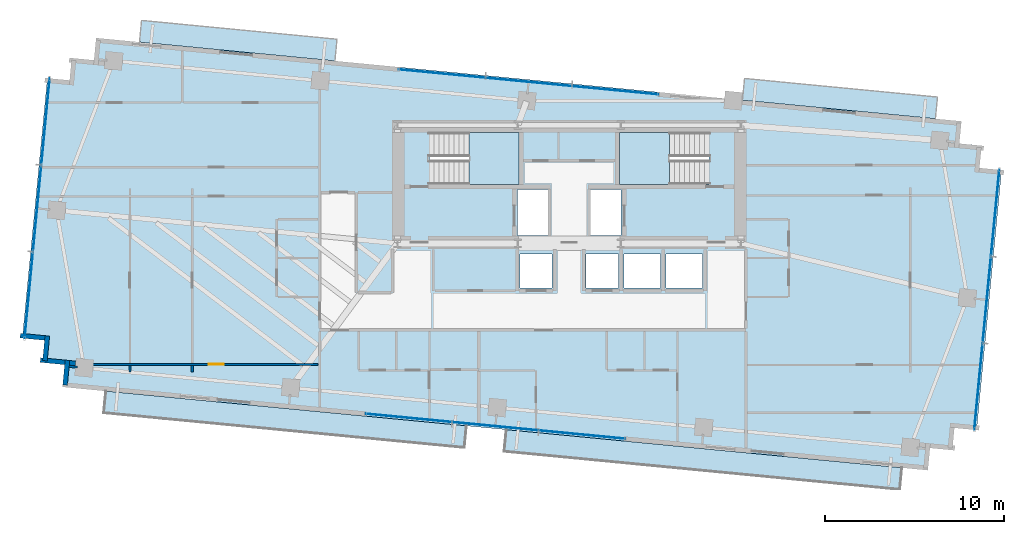
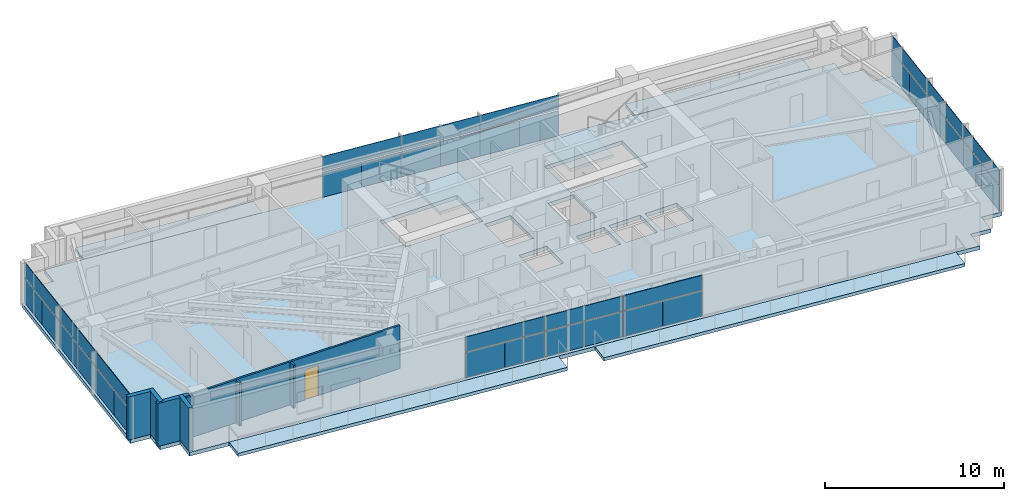
# One storey, part 14 of 20: 36 plates, 8 walls, 7 slabs, 1 door, 1 opening, 6 elements without a shape of their own.
"""IFC4 building model written with IfcOpenShell, lengths in metres."""

from ifc_helpers import new_model, si_unit, direction, frame, frame_2d, origin, origin_2d, place, context, subcontext, project, spatial, polyline, rectangle, outline, extrude, source, transform, mapped, material, layer, layer_set, type_object, type_shapes, element, fill, aggregate, save


model = new_model("IFC4")

# Units and contexts
model_context = context("Model", 3, precision=1e-05, world=origin(), true_north=direction((0.0, 1.0)))
body_context = subcontext(model_context, "Body", "Model", "MODEL_VIEW")
ifc_project = project(units=[si_unit("LENGTHUNIT", "METRE"), si_unit("AREAUNIT", "SQUARE_METRE"), si_unit("VOLUMEUNIT", "CUBIC_METRE"), si_unit("PLANEANGLEUNIT", "RADIAN"), si_unit("MASSUNIT", "GRAM", prefix="KILO")], contexts=[model_context])

# Site, building, storey
site_placement = place(None, origin())
site = spatial("IfcSite", under=ifc_project, at=site_placement, CompositionType="ELEMENT")
building_placement = place(site_placement, origin())
building = spatial("IfcBuilding", under=site, at=building_placement, Name="Astriad Promenade Condominiums", CompositionType="ELEMENT")
storey_placement = place(building_placement, frame((0.0, 0.0, 127.800048828125)))
storey = spatial("IfcBuildingStorey", under=building, at=storey_placement, Name="L36", CompositionType="ELEMENT", Elevation=127.800048828125)

# Slab
ifc_material_1 = material(Name="Concrete C50/60", Category="concrete")
ifc_layer_1 = layer(ifc_material_1, 0.260009765625)
ifc_layer_set_1 = layer_set([ifc_layer_1], Name="Concrete C50/60")
slab_type_1 = type_object("IfcSlabType", Name="CONCRETE TOWER FLOOR SLAB 260", PredefinedType="FLOOR", material=ifc_layer_set_1)
slab_1_placement = place(storey_placement, frame((0.0, 0.0, -0.260009765625)))
element("IfcSlab", 1, at=slab_1_placement, inside=storey, type_object=slab_type_1, Name="Structural Floor Slab (L36)", PredefinedType="FLOOR", context=body_context, shape_type="SweptSolid", body=[
    extrude(outline(polyline([(7.672607421875, 9.374267578125), (56.048828125, 4.716064453125), (56.168701171875, 5.960205078125), (57.412841796875, 5.840576171875), (57.53271484375, 7.084716796875), (58.77685546875, 6.96484375), (60.17626953125, 21.497802734375), (58.931884765625, 21.617431640625), (59.052001953125, 22.86181640625), (57.8076171875, 22.981689453125), (57.927490234375, 24.225830078125), (9.55126953125, 28.8837890625), (9.431396484375, 27.6396484375), (8.18701171875, 27.759521484375), (8.0673828125, 26.515380859375), (6.822998046875, 26.635009765625), (5.423583984375, 12.102294921875), (6.66796875, 11.982421875), (6.548095703125, 10.73828125), (7.79248046875, 10.618408203125), (7.672607421875, 9.374267578125)]), holes=[polyline([(28.175048828125, 20.699951171875), (33.175048828125, 20.699951171875), (33.175048828125, 23.60009765625), (28.175048828125, 23.60009765625), (28.175048828125, 20.699951171875)]), polyline([(38.824951171875, 20.699951171875), (43.824951171875, 20.699951171875), (43.824951171875, 23.60009765625), (38.824951171875, 23.60009765625), (38.824951171875, 20.699951171875)]), polyline([(33.10009765625, 17.85009765625), (34.800048828125, 17.85009765625), (34.800048828125, 20.39990234375), (33.10009765625, 20.39990234375), (33.10009765625, 17.85009765625)]), polyline([(37.199951171875, 17.85009765625), (38.89990234375, 17.85009765625), (38.89990234375, 20.39990234375), (37.199951171875, 20.39990234375), (37.199951171875, 17.85009765625)]), polyline([(33.25, 14.89990234375), (35.050048828125, 14.89990234375), (35.050048828125, 16.800048828125), (33.25, 16.800048828125), (33.25, 14.89990234375)]), polyline([(36.949951171875, 14.89990234375), (38.75, 14.89990234375), (38.75, 16.800048828125), (36.949951171875, 16.800048828125), (36.949951171875, 14.89990234375)]), polyline([(39.050048828125, 14.89990234375), (41.10009765625, 14.89990234375), (41.10009765625, 16.800048828125), (39.050048828125, 16.800048828125), (39.050048828125, 14.89990234375)]), polyline([(41.39990234375, 14.89990234375), (43.449951171875, 14.89990234375), (43.449951171875, 16.800048828125), (41.39990234375, 16.800048828125), (41.39990234375, 14.89990234375)])]), origin(), (0.0, 0.0, 1.0), 0.260009765625),
])

# Stair, slab
stair_type = type_object("IfcStairType", Name="STR-CORE-1350", PredefinedType="HALF_TURN_STAIR", material=ifc_material_1)
stair_1_placement = place(storey_placement, origin())
stair_1 = element("IfcStair", 2, at=stair_1_placement, inside=storey, type_object=stair_type, Name="L36 Enclosed Core Exit Stair ST-1", PredefinedType="HALF_TURN_STAIR")
ifc_layer_2 = layer(ifc_material_1, 0.219970703125)
ifc_layer_set_2 = layer_set([ifc_layer_2], Name="Concrete C50/60")
slab_type_2 = type_object("IfcSlabType", Name="SLB-LANDING-220", PredefinedType="LANDING", material=ifc_layer_set_2)
slab_2_placement = place(storey_placement, frame((0.0, 0.0, 1.39990234375)))
slab_2 = element("IfcSlab", 3, at=slab_2_placement, type_object=slab_type_2, Name="ST-1 landing 1", PredefinedType="LANDING", context=body_context, shape_type="SweptSolid", body=[
    extrude(outline(polyline([(30.389892578125, 20.699951171875), (33.199951171875, 20.699951171875), (33.199951171875, 23.60009765625), (30.389892578125, 23.60009765625), (30.389892578125, 20.699951171875)])), origin(), (0.0, 0.0, 1.0), 0.199951171875),
])
aggregate(stair_1, [slab_2])

stair_2_placement = place(storey_placement, origin())
stair_2 = element("IfcStair", 4, at=stair_2_placement, inside=storey, type_object=stair_type, Name="L36 Enclosed Core Exit Stair ST-2", PredefinedType="HALF_TURN_STAIR")
slab_3_placement = place(storey_placement, frame((0.0, 0.0, 1.39990234375)))
slab_3 = element("IfcSlab", 5, at=slab_3_placement, type_object=slab_type_2, Name="ST-2 landing 1", PredefinedType="LANDING", context=body_context, shape_type="SweptSolid", body=[
    extrude(outline(polyline([(41.610107421875, 23.60009765625), (38.800048828125, 23.60009765625), (38.800048828125, 20.699951171875), (41.610107421875, 20.699951171875), (41.610107421875, 23.60009765625)])), origin(), (0.0, 0.0, 1.0), 0.199951171875),
])
aggregate(stair_2, [slab_3])

# Slabs
ifc_material_2 = material(Name="Precast concrete C50/60", Category="concrete")
ifc_layer_3 = layer(ifc_material_2, 0.219970703125)
ifc_layer_set_3 = layer_set([ifc_layer_3], Name="Precast concrete C50/60")
slab_type_3 = type_object("IfcSlabType", Name="WHITE PRECAST CONCRETE WAVE BALCONY SLAB 220", PredefinedType="FLOOR", material=ifc_layer_set_3)
slab_4_placement = place(storey_placement, frame((0.0, 0.0, -0.219970703125)))
element("IfcSlab", 6, at=slab_4_placement, inside=storey, type_object=slab_type_3, Name="White Precast Wave Balcony Slab BAL-L36-SW", PredefinedType="FLOOR", context=body_context, shape_type="SweptSolid", body=[
    extrude(outline(polyline([(9.978515625, 7.926513671875), (30.13330078125, 5.98583984375), (30.250244140625, 7.2001953125), (10.095458984375, 9.140869140625), (9.978515625, 7.926513671875)])), origin(), (0.0, 0.0, 1.0), 0.219970703125),
])
slab_5_placement = place(storey_placement, frame((0.0, 0.0, -0.219970703125)))
element("IfcSlab", 7, at=slab_5_placement, inside=storey, type_object=slab_type_3, Name="White Precast Wave Balcony Slab BAL-L36-SE", PredefinedType="FLOOR", context=body_context, shape_type="SweptSolid", body=[
    extrude(outline(polyline([(32.364013671875, 5.77099609375), (54.474609375, 3.64208984375), (54.591552734375, 4.8564453125), (32.480712890625, 6.9853515625), (32.364013671875, 5.77099609375)])), origin(), (0.0, 0.0, 1.0), 0.219970703125),
])
slab_6_placement = place(storey_placement, frame((0.0, 0.0, -0.219970703125)))
element("IfcSlab", 8, at=slab_6_placement, inside=storey, type_object=slab_type_3, Name="White Precast Wave Balcony Slab BAL-L36-NW", PredefinedType="FLOOR", context=body_context, shape_type="SweptSolid", body=[
    extrude(outline(polyline([(12.0908203125, 29.864990234375), (23.016357421875, 28.81298828125), (22.899658203125, 27.6005859375), (11.97412109375, 28.652587890625), (12.0908203125, 29.864990234375)])), origin(), (0.0, 0.0, 1.0), 0.219970703125),
])
slab_7_placement = place(storey_placement, frame((0.0, 0.0, -0.219970703125)))
element("IfcSlab", 9, at=slab_7_placement, inside=storey, type_object=slab_type_3, Name="White Precast Wave Balcony Slab BAL-L36-NE", PredefinedType="FLOOR", context=body_context, shape_type="SweptSolid", body=[
    extrude(outline(polyline([(45.801025390625, 26.619140625), (56.587158203125, 25.58056640625), (56.470458984375, 24.3681640625), (45.68408203125, 25.40673828125), (45.801025390625, 26.619140625)])), origin(), (0.0, 0.0, 1.0), 0.219970703125),
])

# Curtain wall, plates
ifc_material_3 = material(Name="Anodised aluminium Black Dark Glass Unitised", Category="aluminium")
curtain_wall_type = type_object("IfcCurtainWallType", Name="CW-B34-DARK", PredefinedType="USERDEFINED", material=ifc_material_3)
curtain_wall_1_placement = place(storey_placement, origin())
curtain_wall_1 = element("IfcCurtainWall", 10, at=curtain_wall_1_placement, inside=storey, type_object=curtain_wall_type, Name="CW-L36-W", ObjectType="UNITISED_CURTAIN_WALL", PredefinedType="USERDEFINED")
ifc_material_4 = material(Name="Dark Tinted Low-E Laminated Glass", Category="glass")
ifc_layer_4 = layer(ifc_material_4, 0.035888671875)
ifc_layer_set_4 = layer_set([ifc_layer_4], Name="Dark Tinted Low-E Laminated Glass")
plate_type = type_object("IfcPlateType", Name="PNL-DARK-GLASS-36", PredefinedType="CURTAIN_PANEL", material=ifc_layer_set_4)
shared_shape_1 = source(origin(), body_context, "Body", "SweptSolid", [
    extrude(rectangle(XDim=2.42138671875, YDim=0.035888671875, at=origin_2d()), origin(), (0.0, 0.0, 1.0), 1.702880859375),
])
plate_1_placement = place(storey_placement, frame((5.669677734375, 13.30078125, 0.080078125), z_axis=(0.0, 0.0, 1.0), x_axis=(0.09584575252, 0.995396198367, 0.0)))
plate_1 = element("IfcPlate", 11, at=plate_1_placement, type_object=plate_type, Name="CW-L36-W-PNL-00-VL", PredefinedType="CURTAIN_PANEL", context=body_context, shape_type="MappedRepresentation", body=[
    mapped(shared_shape_1, transform((0.0, 0.0, 0.0), scale=1.0)),
])
plate_2_placement = place(storey_placement, frame((5.903076171875, 15.722900390625, 0.080078125), z_axis=(0.0, 0.0, 1.0), x_axis=(0.09584575252, 0.995396198367, 0.0)))
plate_2 = element("IfcPlate", 12, at=plate_2_placement, type_object=plate_type, Name="CW-L36-W-PNL-00-VR", PredefinedType="CURTAIN_PANEL", context=body_context, shape_type="MappedRepresentation", body=[
    mapped(shared_shape_1, transform((0.0, 0.0, 0.0), scale=1.0)),
])
plate_3_placement = place(storey_placement, frame((6.13623046875, 18.145263671875, 0.080078125), z_axis=(0.0, 0.0, 1.0), x_axis=(0.09584575252, 0.995396198367, 0.0)))
plate_3 = element("IfcPlate", 13, at=plate_3_placement, type_object=plate_type, Name="CW-L36-W-PNL-01-VL", PredefinedType="CURTAIN_PANEL", context=body_context, shape_type="MappedRepresentation", body=[
    mapped(shared_shape_1, transform((0.0, 0.0, 0.0), scale=1.0)),
])
plate_4_placement = place(storey_placement, frame((6.369384765625, 20.5673828125, 0.080078125), z_axis=(0.0, 0.0, 1.0), x_axis=(0.09584575252, 0.995396198367, 0.0)))
plate_4 = element("IfcPlate", 14, at=plate_4_placement, type_object=plate_type, Name="CW-L36-W-PNL-01-VR", PredefinedType="CURTAIN_PANEL", context=body_context, shape_type="MappedRepresentation", body=[
    mapped(shared_shape_1, transform((0.0, 0.0, 0.0), scale=1.0)),
])
plate_5_placement = place(storey_placement, frame((6.6025390625, 22.989501953125, 0.080078125), z_axis=(0.0, 0.0, 1.0), x_axis=(0.09584575252, 0.995396198367, 0.0)))
plate_5 = element("IfcPlate", 15, at=plate_5_placement, type_object=plate_type, Name="CW-L36-W-PNL-02-VL", PredefinedType="CURTAIN_PANEL", context=body_context, shape_type="MappedRepresentation", body=[
    mapped(shared_shape_1, transform((0.0, 0.0, 0.0), scale=1.0)),
])
plate_6_placement = place(storey_placement, frame((6.8359375, 25.41162109375, 0.080078125), z_axis=(0.0, 0.0, 1.0), x_axis=(0.09584575252, 0.995396198367, 0.0)))
plate_6 = element("IfcPlate", 16, at=plate_6_placement, type_object=plate_type, Name="CW-L36-W-PNL-02-VR", PredefinedType="CURTAIN_PANEL", context=body_context, shape_type="MappedRepresentation", body=[
    mapped(shared_shape_1, transform((0.0, 0.0, 0.0), scale=1.0)),
])

curtain_wall_2_placement = place(storey_placement, origin())
curtain_wall_2 = element("IfcCurtainWall", 17, at=curtain_wall_2_placement, inside=storey, type_object=curtain_wall_type, Name="CW-L36-E", ObjectType="UNITISED_CURTAIN_WALL", PredefinedType="USERDEFINED")
plate_7_placement = place(storey_placement, frame((59.930419921875, 20.299072265625, 0.080078125), z_axis=(0.0, 0.0, 1.0), x_axis=(-0.09584575252, -0.995396198367, 0.0)))
plate_7 = element("IfcPlate", 18, at=plate_7_placement, type_object=plate_type, Name="CW-L36-E-PNL-00-VL", PredefinedType="CURTAIN_PANEL", context=body_context, shape_type="MappedRepresentation", body=[
    mapped(shared_shape_1, transform((0.0, 0.0, 0.0), scale=1.0)),
])
plate_8_placement = place(storey_placement, frame((59.697021484375, 17.876953125, 0.080078125), z_axis=(0.0, 0.0, 1.0), x_axis=(-0.09584575252, -0.995396198367, 0.0)))
plate_8 = element("IfcPlate", 19, at=plate_8_placement, type_object=plate_type, Name="CW-L36-E-PNL-00-VR", PredefinedType="CURTAIN_PANEL", context=body_context, shape_type="MappedRepresentation", body=[
    mapped(shared_shape_1, transform((0.0, 0.0, 0.0), scale=1.0)),
])
plate_9_placement = place(storey_placement, frame((59.4638671875, 15.454833984375, 0.080078125), z_axis=(0.0, 0.0, 1.0), x_axis=(-0.09584575252, -0.995396198367, 0.0)))
plate_9 = element("IfcPlate", 20, at=plate_9_placement, type_object=plate_type, Name="CW-L36-E-PNL-01-VL", PredefinedType="CURTAIN_PANEL", context=body_context, shape_type="MappedRepresentation", body=[
    mapped(shared_shape_1, transform((0.0, 0.0, 0.0), scale=1.0)),
])
plate_10_placement = place(storey_placement, frame((59.230712890625, 13.03271484375, 0.080078125), z_axis=(0.0, 0.0, 1.0), x_axis=(-0.09584575252, -0.995396198367, 0.0)))
plate_10 = element("IfcPlate", 21, at=plate_10_placement, type_object=plate_type, Name="CW-L36-E-PNL-01-VR", PredefinedType="CURTAIN_PANEL", context=body_context, shape_type="MappedRepresentation", body=[
    mapped(shared_shape_1, transform((0.0, 0.0, 0.0), scale=1.0)),
])
plate_11_placement = place(storey_placement, frame((58.997314453125, 10.610595703125, 0.080078125), z_axis=(0.0, 0.0, 1.0), x_axis=(-0.09584575252, -0.995396198367, 0.0)))
plate_11 = element("IfcPlate", 22, at=plate_11_placement, type_object=plate_type, Name="CW-L36-E-PNL-02-VL", PredefinedType="CURTAIN_PANEL", context=body_context, shape_type="MappedRepresentation", body=[
    mapped(shared_shape_1, transform((0.0, 0.0, 0.0), scale=1.0)),
])
plate_12_placement = place(storey_placement, frame((58.76416015625, 8.1884765625, 0.080078125), z_axis=(0.0, 0.0, 1.0), x_axis=(-0.09584575252, -0.995396198367, 0.0)))
plate_12 = element("IfcPlate", 23, at=plate_12_placement, type_object=plate_type, Name="CW-L36-E-PNL-02-VR", PredefinedType="CURTAIN_PANEL", context=body_context, shape_type="MappedRepresentation", body=[
    mapped(shared_shape_1, transform((0.0, 0.0, 0.0), scale=1.0)),
])

# Plate
shared_shape_2 = source(origin(), body_context, "Body", "SweptSolid", [
    extrude(rectangle(XDim=4.854736328125, YDim=0.035888671875, at=origin_2d()), origin(), (0.0, 0.0, 1.0), 0.997314453125),
])
plate_13_placement = place(storey_placement, frame((5.786376953125, 14.511962890625, 1.86279296875), z_axis=(0.0, 0.0, 1.0), x_axis=(0.09584575252, 0.995396198367, 0.0)))
plate_13 = element("IfcPlate", 24, at=plate_13_placement, type_object=plate_type, Name="CW-L36-W-PNL-00-S", PredefinedType="CURTAIN_PANEL", context=body_context, shape_type="MappedRepresentation", body=[
    mapped(shared_shape_2, transform((0.0, 0.0, 0.0), scale=1.0)),
])

plate_14_placement = place(storey_placement, frame((6.252685546875, 19.356201171875, 1.86279296875), z_axis=(0.0, 0.0, 1.0), x_axis=(0.09584575252, 0.995396198367, 0.0)))
plate_14 = element("IfcPlate", 25, at=plate_14_placement, type_object=plate_type, Name="CW-L36-W-PNL-01-S", PredefinedType="CURTAIN_PANEL", context=body_context, shape_type="MappedRepresentation", body=[
    mapped(shared_shape_2, transform((0.0, 0.0, 0.0), scale=1.0)),
])

plate_15_placement = place(storey_placement, frame((6.71923828125, 24.200439453125, 1.86279296875), z_axis=(0.0, 0.0, 1.0), x_axis=(0.09584575252, 0.995396198367, 0.0)))
plate_15 = element("IfcPlate", 26, at=plate_15_placement, type_object=plate_type, Name="CW-L36-W-PNL-02-S", PredefinedType="CURTAIN_PANEL", context=body_context, shape_type="MappedRepresentation", body=[
    mapped(shared_shape_2, transform((0.0, 0.0, 0.0), scale=1.0)),
])

aggregate(curtain_wall_1, [plate_1, plate_2, plate_13, plate_3, plate_4, plate_14, plate_5, plate_6, plate_15])

plate_16_placement = place(storey_placement, frame((59.813720703125, 19.088134765625, 1.86279296875), z_axis=(0.0, 0.0, 1.0), x_axis=(-0.09584575252, -0.995396198367, 0.0)))
plate_16 = element("IfcPlate", 27, at=plate_16_placement, type_object=plate_type, Name="CW-L36-E-PNL-00-S", PredefinedType="CURTAIN_PANEL", context=body_context, shape_type="MappedRepresentation", body=[
    mapped(shared_shape_2, transform((0.0, 0.0, 0.0), scale=1.0)),
])

plate_17_placement = place(storey_placement, frame((59.34716796875, 14.243896484375, 1.86279296875), z_axis=(0.0, 0.0, 1.0), x_axis=(-0.09584575252, -0.995396198367, 0.0)))
plate_17 = element("IfcPlate", 28, at=plate_17_placement, type_object=plate_type, Name="CW-L36-E-PNL-01-S", PredefinedType="CURTAIN_PANEL", context=body_context, shape_type="MappedRepresentation", body=[
    mapped(shared_shape_2, transform((0.0, 0.0, 0.0), scale=1.0)),
])

plate_18_placement = place(storey_placement, frame((58.880615234375, 9.3994140625, 1.86279296875), z_axis=(0.0, 0.0, 1.0), x_axis=(-0.09584575252, -0.995396198367, 0.0)))
plate_18 = element("IfcPlate", 29, at=plate_18_placement, type_object=plate_type, Name="CW-L36-E-PNL-02-S", PredefinedType="CURTAIN_PANEL", context=body_context, shape_type="MappedRepresentation", body=[
    mapped(shared_shape_2, transform((0.0, 0.0, 0.0), scale=1.0)),
])

aggregate(curtain_wall_2, [plate_7, plate_8, plate_16, plate_9, plate_10, plate_17, plate_11, plate_12, plate_18])

# Curtain wall, plates
curtain_wall_3_placement = place(storey_placement, origin())
curtain_wall_3 = element("IfcCurtainWall", 30, at=curtain_wall_3_placement, inside=storey, type_object=curtain_wall_type, Name="CW-L36-N", ObjectType="UNITISED_CURTAIN_WALL", PredefinedType="USERDEFINED")
shared_shape_3 = source(origin(), body_context, "Body", "SweptSolid", [
    extrude(rectangle(XDim=2.41796875, YDim=0.035888671875, at=origin_2d()), origin(), (0.0, 0.0, 1.0), 1.702880859375),
])
plate_19_placement = place(storey_placement, frame((27.6796875, 27.0078125, 0.080078125), z_axis=(0.0, 0.0, 1.0), x_axis=(0.995396198367, -0.09584575252, 0.0)))
plate_19 = element("IfcPlate", 31, at=plate_19_placement, type_object=plate_type, Name="CW-L36-N-PNL-00-VL", PredefinedType="CURTAIN_PANEL", context=body_context, shape_type="MappedRepresentation", body=[
    mapped(shared_shape_3, transform((0.0, 0.0, 0.0), scale=1.0)),
])
plate_20_placement = place(storey_placement, frame((30.0986328125, 26.77490234375, 0.080078125), z_axis=(0.0, 0.0, 1.0), x_axis=(0.995396198367, -0.09584575252, 0.0)))
plate_20 = element("IfcPlate", 32, at=plate_20_placement, type_object=plate_type, Name="CW-L36-N-PNL-00-VR", PredefinedType="CURTAIN_PANEL", context=body_context, shape_type="MappedRepresentation", body=[
    mapped(shared_shape_3, transform((0.0, 0.0, 0.0), scale=1.0)),
])
plate_21_placement = place(storey_placement, frame((32.517333984375, 26.5419921875, 0.080078125), z_axis=(0.0, 0.0, 1.0), x_axis=(0.995396198367, -0.09584575252, 0.0)))
plate_21 = element("IfcPlate", 33, at=plate_21_placement, type_object=plate_type, Name="CW-L36-N-PNL-01-VL", PredefinedType="CURTAIN_PANEL", context=body_context, shape_type="MappedRepresentation", body=[
    mapped(shared_shape_3, transform((0.0, 0.0, 0.0), scale=1.0)),
])
plate_22_placement = place(storey_placement, frame((34.936279296875, 26.30908203125, 0.080078125), z_axis=(0.0, 0.0, 1.0), x_axis=(0.995396198367, -0.09584575252, 0.0)))
plate_22 = element("IfcPlate", 34, at=plate_22_placement, type_object=plate_type, Name="CW-L36-N-PNL-01-VR", PredefinedType="CURTAIN_PANEL", context=body_context, shape_type="MappedRepresentation", body=[
    mapped(shared_shape_3, transform((0.0, 0.0, 0.0), scale=1.0)),
])
plate_23_placement = place(storey_placement, frame((37.35498046875, 26.075927734375, 0.080078125), z_axis=(0.0, 0.0, 1.0), x_axis=(0.995396198367, -0.09584575252, 0.0)))
plate_23 = element("IfcPlate", 35, at=plate_23_placement, type_object=plate_type, Name="CW-L36-N-PNL-02-VL", PredefinedType="CURTAIN_PANEL", context=body_context, shape_type="MappedRepresentation", body=[
    mapped(shared_shape_3, transform((0.0, 0.0, 0.0), scale=1.0)),
])
plate_24_placement = place(storey_placement, frame((39.77392578125, 25.84326171875, 0.080078125), z_axis=(0.0, 0.0, 1.0), x_axis=(0.995396198367, -0.09584575252, 0.0)))
plate_24 = element("IfcPlate", 36, at=plate_24_placement, type_object=plate_type, Name="CW-L36-N-PNL-02-VR", PredefinedType="CURTAIN_PANEL", context=body_context, shape_type="MappedRepresentation", body=[
    mapped(shared_shape_3, transform((0.0, 0.0, 0.0), scale=1.0)),
])

curtain_wall_4_placement = place(storey_placement, origin())
curtain_wall_4 = element("IfcCurtainWall", 37, at=curtain_wall_4_placement, inside=storey, type_object=curtain_wall_type, Name="CW-L36-S", ObjectType="UNITISED_CURTAIN_WALL", PredefinedType="USERDEFINED")
plate_25_placement = place(storey_placement, frame((37.920166015625, 6.59228515625, 0.080078125), z_axis=(0.0, 0.0, 1.0), x_axis=(-0.995396198367, 0.09584575252, 0.0)))
plate_25 = element("IfcPlate", 38, at=plate_25_placement, type_object=plate_type, Name="CW-L36-S-PNL-00-VL", PredefinedType="CURTAIN_PANEL", context=body_context, shape_type="MappedRepresentation", body=[
    mapped(shared_shape_3, transform((0.0, 0.0, 0.0), scale=1.0)),
])
plate_26_placement = place(storey_placement, frame((35.50146484375, 6.8251953125, 0.080078125), z_axis=(0.0, 0.0, 1.0), x_axis=(-0.995396198367, 0.09584575252, 0.0)))
plate_26 = element("IfcPlate", 39, at=plate_26_placement, type_object=plate_type, Name="CW-L36-S-PNL-00-VR", PredefinedType="CURTAIN_PANEL", context=body_context, shape_type="MappedRepresentation", body=[
    mapped(shared_shape_3, transform((0.0, 0.0, 0.0), scale=1.0)),
])
plate_27_placement = place(storey_placement, frame((33.08251953125, 7.05810546875, 0.080078125), z_axis=(0.0, 0.0, 1.0), x_axis=(-0.995396198367, 0.09584575252, 0.0)))
plate_27 = element("IfcPlate", 40, at=plate_27_placement, type_object=plate_type, Name="CW-L36-S-PNL-01-VL", PredefinedType="CURTAIN_PANEL", context=body_context, shape_type="MappedRepresentation", body=[
    mapped(shared_shape_3, transform((0.0, 0.0, 0.0), scale=1.0)),
])
plate_28_placement = place(storey_placement, frame((30.663818359375, 7.291015625, 0.080078125), z_axis=(0.0, 0.0, 1.0), x_axis=(-0.995396198367, 0.09584575252, 0.0)))
plate_28 = element("IfcPlate", 41, at=plate_28_placement, type_object=plate_type, Name="CW-L36-S-PNL-01-VR", PredefinedType="CURTAIN_PANEL", context=body_context, shape_type="MappedRepresentation", body=[
    mapped(shared_shape_3, transform((0.0, 0.0, 0.0), scale=1.0)),
])
plate_29_placement = place(storey_placement, frame((28.244873046875, 7.52392578125, 0.080078125), z_axis=(0.0, 0.0, 1.0), x_axis=(-0.995396198367, 0.09584575252, 0.0)))
plate_29 = element("IfcPlate", 42, at=plate_29_placement, type_object=plate_type, Name="CW-L36-S-PNL-02-VL", PredefinedType="CURTAIN_PANEL", context=body_context, shape_type="MappedRepresentation", body=[
    mapped(shared_shape_3, transform((0.0, 0.0, 0.0), scale=1.0)),
])
plate_30_placement = place(storey_placement, frame((25.826171875, 7.7568359375, 0.080078125), z_axis=(0.0, 0.0, 1.0), x_axis=(-0.995396198367, 0.09584575252, 0.0)))
plate_30 = element("IfcPlate", 43, at=plate_30_placement, type_object=plate_type, Name="CW-L36-S-PNL-02-VR", PredefinedType="CURTAIN_PANEL", context=body_context, shape_type="MappedRepresentation", body=[
    mapped(shared_shape_3, transform((0.0, 0.0, 0.0), scale=1.0)),
])

# Plate
shared_shape_4 = source(origin(), body_context, "Body", "SweptSolid", [
    extrude(rectangle(XDim=4.847900390625, YDim=0.035888671875, at=origin_2d()), origin(), (0.0, 0.0, 1.0), 0.997314453125),
])
type_shapes(plate_type, [shared_shape_1, shared_shape_2, shared_shape_3, shared_shape_4])
plate_31_placement = place(storey_placement, frame((28.88916015625, 26.891357421875, 1.86279296875), z_axis=(0.0, 0.0, 1.0), x_axis=(0.995396198367, -0.09584575252, 0.0)))
plate_31 = element("IfcPlate", 44, at=plate_31_placement, type_object=plate_type, Name="CW-L36-N-PNL-00-S", PredefinedType="CURTAIN_PANEL", context=body_context, shape_type="MappedRepresentation", body=[
    mapped(shared_shape_4, transform((0.0, 0.0, 0.0), scale=1.0)),
])

plate_32_placement = place(storey_placement, frame((33.726806640625, 26.42529296875, 1.86279296875), z_axis=(0.0, 0.0, 1.0), x_axis=(0.995396198367, -0.09584575252, 0.0)))
plate_32 = element("IfcPlate", 45, at=plate_32_placement, type_object=plate_type, Name="CW-L36-N-PNL-01-S", PredefinedType="CURTAIN_PANEL", context=body_context, shape_type="MappedRepresentation", body=[
    mapped(shared_shape_4, transform((0.0, 0.0, 0.0), scale=1.0)),
])

plate_33_placement = place(storey_placement, frame((38.564453125, 25.959716796875, 1.86279296875), z_axis=(0.0, 0.0, 1.0), x_axis=(0.995396198367, -0.09584575252, 0.0)))
plate_33 = element("IfcPlate", 46, at=plate_33_placement, type_object=plate_type, Name="CW-L36-N-PNL-02-S", PredefinedType="CURTAIN_PANEL", context=body_context, shape_type="MappedRepresentation", body=[
    mapped(shared_shape_4, transform((0.0, 0.0, 0.0), scale=1.0)),
])

aggregate(curtain_wall_3, [plate_19, plate_20, plate_31, plate_21, plate_22, plate_32, plate_23, plate_24, plate_33])

plate_34_placement = place(storey_placement, frame((36.710693359375, 6.708740234375, 1.86279296875), z_axis=(0.0, 0.0, 1.0), x_axis=(-0.995396198367, 0.09584575252, 0.0)))
plate_34 = element("IfcPlate", 47, at=plate_34_placement, type_object=plate_type, Name="CW-L36-S-PNL-00-S", PredefinedType="CURTAIN_PANEL", context=body_context, shape_type="MappedRepresentation", body=[
    mapped(shared_shape_4, transform((0.0, 0.0, 0.0), scale=1.0)),
])

plate_35_placement = place(storey_placement, frame((31.873291015625, 7.174560546875, 1.86279296875), z_axis=(0.0, 0.0, 1.0), x_axis=(-0.995396198367, 0.09584575252, 0.0)))
plate_35 = element("IfcPlate", 48, at=plate_35_placement, type_object=plate_type, Name="CW-L36-S-PNL-01-S", PredefinedType="CURTAIN_PANEL", context=body_context, shape_type="MappedRepresentation", body=[
    mapped(shared_shape_4, transform((0.0, 0.0, 0.0), scale=1.0)),
])

plate_36_placement = place(storey_placement, frame((27.035400390625, 7.640380859375, 1.86279296875), z_axis=(0.0, 0.0, 1.0), x_axis=(-0.995396198367, 0.09584575252, 0.0)))
plate_36 = element("IfcPlate", 49, at=plate_36_placement, type_object=plate_type, Name="CW-L36-S-PNL-02-S", PredefinedType="CURTAIN_PANEL", context=body_context, shape_type="MappedRepresentation", body=[
    mapped(shared_shape_4, transform((0.0, 0.0, 0.0), scale=1.0)),
])

aggregate(curtain_wall_4, [plate_25, plate_26, plate_34, plate_27, plate_28, plate_35, plate_29, plate_30, plate_36])

# Walls
ifc_layer_5 = layer(ifc_material_2, 0.260009765625)
ifc_layer_set_5 = layer_set([ifc_layer_5], Name="Precast concrete C50/60")
wall_type_1 = type_object("IfcWallType", Name="WALL-EXT-TWR-260", PredefinedType="STANDARD", material=ifc_layer_set_5)
wall_1_placement = place(storey_placement, frame((8.400146484375, 10.6904296875, 0.0), z_axis=(0.0, 0.0, 1.0), x_axis=(-0.995391147587, 0.095898192396, 0.0)))
element("IfcWall", 50, at=wall_1_placement, inside=storey, type_object=wall_type_1, Name="W-SER-L36-00", PredefinedType="STANDARD", context=body_context, shape_type="SweptSolid", body=[
    extrude(rectangle(XDim=1.97802734375, YDim=0.260009765625, at=frame_2d((0.989013671875, 0.0))), origin(), (0.0, 0.0, 1.0), 2.93994140625),
])
wall_2_placement = place(storey_placement, frame((6.6884765625, 10.840087890625, 0.0), z_axis=(0.0, 0.0, 1.0), x_axis=(0.09589913835, 0.995391056452, 0.0)))
element("IfcWall", 51, at=wall_2_placement, inside=storey, type_object=wall_type_1, Name="W-SER-L36-01", PredefinedType="STANDARD", context=body_context, shape_type="SweptSolid", body=[
    extrude(rectangle(XDim=1.39501953125, YDim=0.260009765625, at=frame_2d((0.697509765625, 0.0))), origin(), (0.0, 0.0, 1.0), 2.93994140625),
])
for number, where, z_axis, x_axis, name in (
    (52, (6.6953125, 12.110595703125, 0.0), (0.0, 0.0, 1.0), (-0.99540614245, 0.095742423056, 0.0), "W-SER-L36-02"),
    (53, (7.81298828125, 9.476318359375, 0.0), (0.0, 0.0, 1.0), (0.095915846097, 0.995389446633, 0.0), "W-SER-L36-19"),
):
    element("IfcWall", number, at=place(storey_placement, frame(where, z_axis=z_axis, x_axis=x_axis)), inside=storey, type_object=wall_type_1, Name=name, PredefinedType="STANDARD", context=body_context, shape_type="SweptSolid", body=[
        extrude(rectangle(XDim=1.394775390625, YDim=0.260009765625, at=frame_2d((0.697265625, 0.0))), origin(), (0.0, 0.0, 1.0), 2.93994140625),
    ])

# Wall, opening, door
ifc_material_5 = material(Name="Acoustic Metal-Stud Gypsum Partition")
ifc_layer_6 = layer(ifc_material_5, 0.1201171875)
ifc_layer_set_6 = layer_set([ifc_layer_6], Name="Acoustic Metal-Stud Gypsum Partition")
wall_type_2 = type_object("IfcWallType", Name="WALL-PART-120", PredefinedType="PARTITIONING", material=ifc_layer_set_6)
wall_3_placement = place(storey_placement, frame((8.39501953125, 10.638916015625, 0.0), z_axis=(0.0, 0.0, 1.0), x_axis=(1.0, 0.0, 0.0)))
wall_3 = element("IfcWall", 54, at=wall_3_placement, inside=storey, type_object=wall_type_2, Name="PT-L36-W1-WDS2", PredefinedType="PARTITIONING", context=body_context, shape_type="SweptSolid", body=[
    extrude(rectangle(XDim=13.572998046875, YDim=0.1201171875, at=frame_2d((6.78662109375, 0.0))), origin(), (0.0, 0.0, 1.0), 2.93994140625),
])
opening_placement = place(wall_3_placement, frame((7.450927734375, 0.0, 0.0)))
opening = element("IfcOpeningElement", 55, at=opening_placement, cuts=wall_3, Name="Opening D-INT-085", PredefinedType="OPENING", context=body_context, shape_type="SweptSolid", body=[
    extrude(rectangle(XDim=0.85009765625, YDim=2.050048828125, at=frame_2d((0.425048828125, 1.02490234375))), frame((0.0, 0.070068359375, 0.0), z_axis=(0.0, -1.0, 0.0), x_axis=(1.0, 0.0, 0.0)), (0.0, 0.0, 1.0), 0.14013671875),
])
ifc_material_6 = material(Name="Painted Solid-Core Timber Room Door", Category="wood")
door_type = type_object("IfcDoorType", Name="D-INT-085", OperationType="NOTDEFINED", PredefinedType="DOOR", material=ifc_material_6)
shared_shape_5 = source(origin(), body_context, "Body", "SweptSolid", [
    extrude(rectangle(XDim=0.85009765625, YDim=2.050048828125, at=frame_2d((0.425048828125, 1.02490234375))), frame((0.0, 0.02490234375, 0.0), z_axis=(0.0, -1.0, 0.0), x_axis=(1.0, 0.0, 0.0)), (0.0, 0.0, 1.0), 0.050048828125),
])
type_shapes(door_type, [shared_shape_5])
door_placement = place(opening_placement, origin())
door = element("IfcDoor", 56, at=door_placement, inside=storey, type_object=door_type, Name="D-WDS2-L36-W1", OperationType="SINGLE_SWING_LEFT", OverallHeight=2.050048828125, OverallWidth=0.85009765625, PredefinedType="DOOR", context=body_context, shape_type="MappedRepresentation", body=[
    mapped(shared_shape_5, transform((0.0, 0.0, 0.0), scale=1.0)),
])
fill(opening, door)

# Walls
for number, where, z_axis, x_axis, name in (
    (57, (11.43701171875, 10.198974609375, 0.0), (0.0, 0.0, 1.0), (0.0, 1.0, 0.0), "PT-L36-W1-WDV4"),
    (58, (14.9208984375, 10.198974609375, 0.0), (0.0, 0.0, 1.0), (0.0, 1.0, 0.0), "PT-L36-W1-WDV5"),
):
    element("IfcWall", number, at=place(storey_placement, frame(where, z_axis=z_axis, x_axis=x_axis)), inside=storey, type_object=wall_type_2, Name=name, PredefinedType="PARTITIONING", context=body_context, shape_type="SweptSolid", body=[
        extrude(rectangle(XDim=0.3779296875, YDim=0.1201171875, at=frame_2d((0.18896484375, 0.0))), origin(), (0.0, 0.0, 1.0), 2.93994140625),
    ])
wall_4_placement = place(storey_placement, frame((8.502197265625, 10.479736328125, 0.0), z_axis=(0.0, 0.0, 1.0), x_axis=(-0.995384576284, 0.09596637586, 0.0)))
element("IfcWall", 59, at=wall_4_placement, inside=storey, type_object=wall_type_2, Name="PT-PIL-L36-PC01-8", PredefinedType="PARTITIONING", context=body_context, shape_type="SweptSolid", body=[
    extrude(rectangle(XDim=0.4580078125, YDim=0.1201171875, at=frame_2d((0.22900390625, 0.0))), origin(), (0.0, 0.0, 1.0), 2.93994140625),
])

save(model, "model.ifc")
